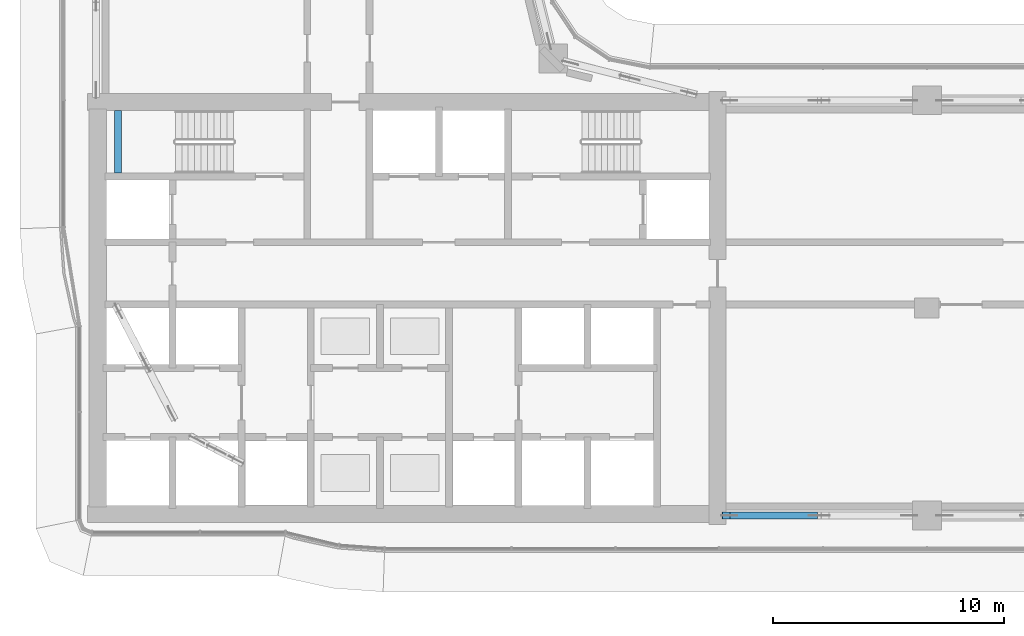
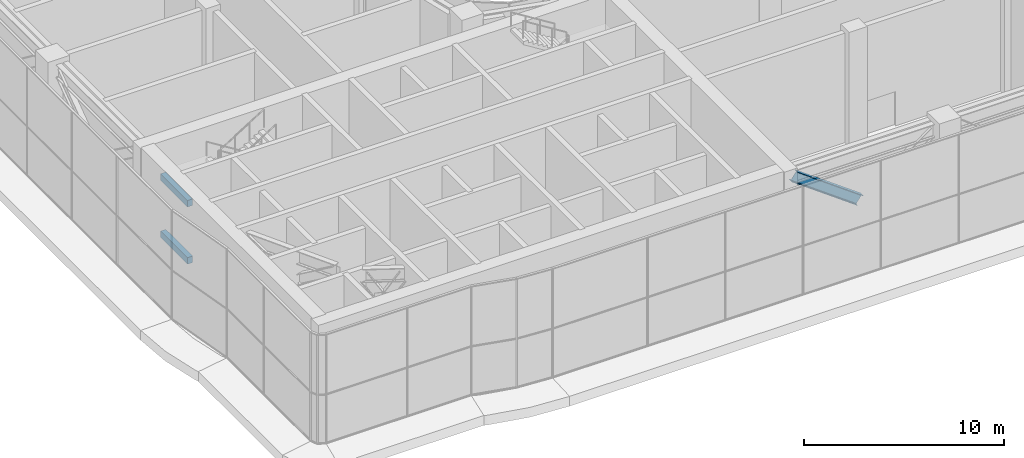
# One storey, part 3 of 35: 2 beams, 1 member.
"""IFC4 building model written with IfcOpenShell, lengths in metres."""

from ifc_helpers import new_model, si_unit, direction, frame, origin, origin_2d, place, context, subcontext, project, spatial, rectangle, i_section, extrude, material, material_profile, profile_set, type_object, element, save


model = new_model("IFC4")

# Units and contexts
model_context = context("Model", 3, precision=1e-05, world=origin(), true_north=direction((0.0, 1.0)))
body_context = subcontext(model_context, "Body", "Model", "MODEL_VIEW")
ifc_project = project(units=[si_unit("LENGTHUNIT", "METRE"), si_unit("AREAUNIT", "SQUARE_METRE"), si_unit("VOLUMEUNIT", "CUBIC_METRE"), si_unit("PLANEANGLEUNIT", "RADIAN"), si_unit("MASSUNIT", "GRAM", prefix="KILO")], contexts=[model_context])

# Site, building, storey
site_placement = place(None, origin())
site = spatial("IfcSite", under=ifc_project, at=site_placement, CompositionType="ELEMENT")
building_placement = place(site_placement, origin())
building = spatial("IfcBuilding", under=site, at=building_placement, Name="Ogive Portal Towers", CompositionType="ELEMENT")
storey_placement = place(building_placement, frame((0.0, 0.0, 135.199951171875)))
storey = spatial("IfcBuildingStorey", under=building, at=storey_placement, Name="L33", CompositionType="ELEMENT", Elevation=135.199951171875)

# Beams
ifc_material_1 = material(Name="Concrete C40/50", Category="concrete")
ifc_material_profile_1 = material_profile(ifc_material_1, rectangle(XDim=0.300048828125, YDim=0.39990234375, at=origin_2d()), Name="RC 300x400")
ifc_profile_set_1 = profile_set([ifc_material_profile_1], Name="Concrete C40/50")
beam_type = type_object("IfcBeamType", Name="BEAM RC 300x400", PredefinedType="BEAM", material=ifc_profile_set_1)
for number, where, z_axis, x_axis, name in (
    (1, (32.449951171875, 36.35009765625, 1.35009765625), (0.0, 1.0, 0.0), (-1.0, 0.0, 0.0), "Landing beam L33"),
    (2, (32.449951171875, 36.35009765625, 4.85009765625), (0.0, 1.0, 0.0), (-1.0, 0.0, 0.0), "Landing beam L33"),
):
    element("IfcBeam", number, at=place(storey_placement, frame(where, z_axis=z_axis, x_axis=x_axis)), inside=storey, type_object=beam_type, Name=name, PredefinedType="BEAM", context=body_context, shape_type="SweptSolid", body=[
        extrude(rectangle(XDim=0.300048828125, YDim=0.39990234375, at=origin_2d()), origin(), (0.0, 0.0, 1.0), 2.699951171875),
    ])

# Member
ifc_material_2 = material(Name="Steel S355", Category="steel")
ifc_material_profile_2 = material_profile(ifc_material_2, i_section(OverallWidth=0.300048828125, OverallDepth=0.60009765625, WebThickness=0.015380859375, FlangeThickness=0.030029296875, FilletRadius=0.027099609375, at=origin_2d()), Name="HEB 600")
ifc_profile_set_2 = profile_set([ifc_material_profile_2], Name="Steel S355")
member_type = type_object("IfcMemberType", Name="BRACE HEB 600", PredefinedType="BRACE", material=ifc_profile_set_2)
member_placement = place(storey_placement, frame((58.800048828125, 21.5, 6.29296875), z_axis=(0.808099594501, 0.0, -0.589045877133), x_axis=(0.0, 1.0, 0.0)))
element("IfcMember", 3, at=member_placement, inside=storey, type_object=member_type, Name="Belt truss diagonal", PredefinedType="BRACE", context=body_context, shape_type="SweptSolid", body=[
    extrude(i_section(OverallWidth=0.300048828125, OverallDepth=0.60009765625, WebThickness=0.015380859375, FlangeThickness=0.030029296875, FilletRadius=0.027099609375, at=origin_2d()), origin(), (0.0, 0.0, 1.0), 4.680908203125),
])

save(model, "model.ifc")
